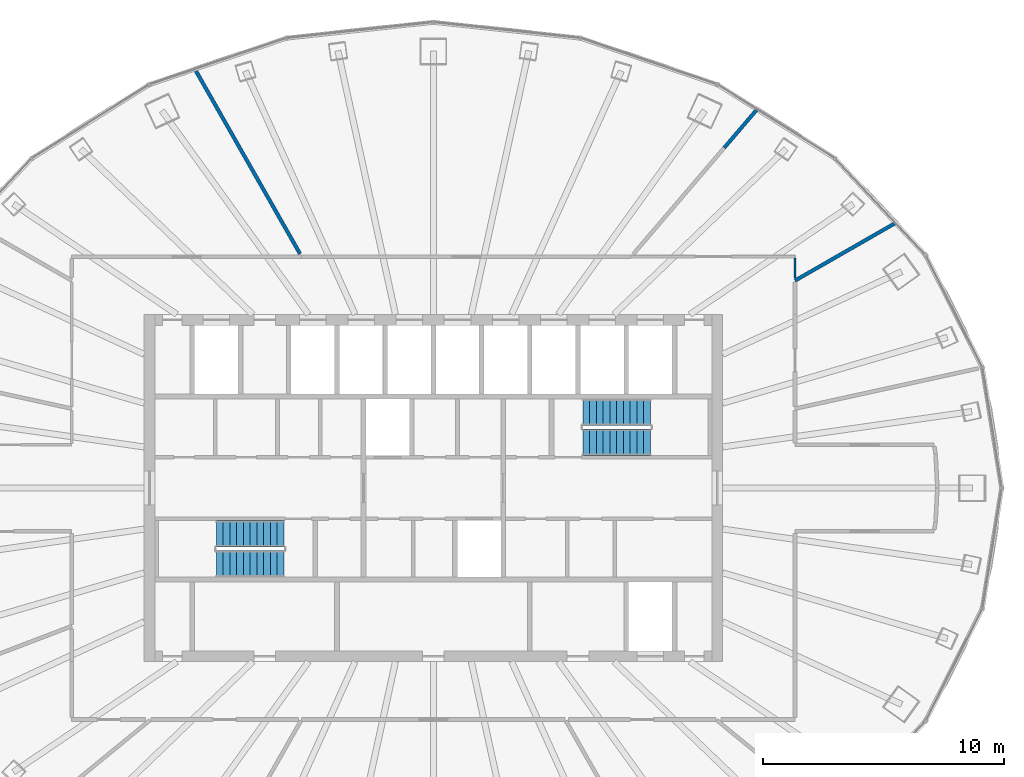
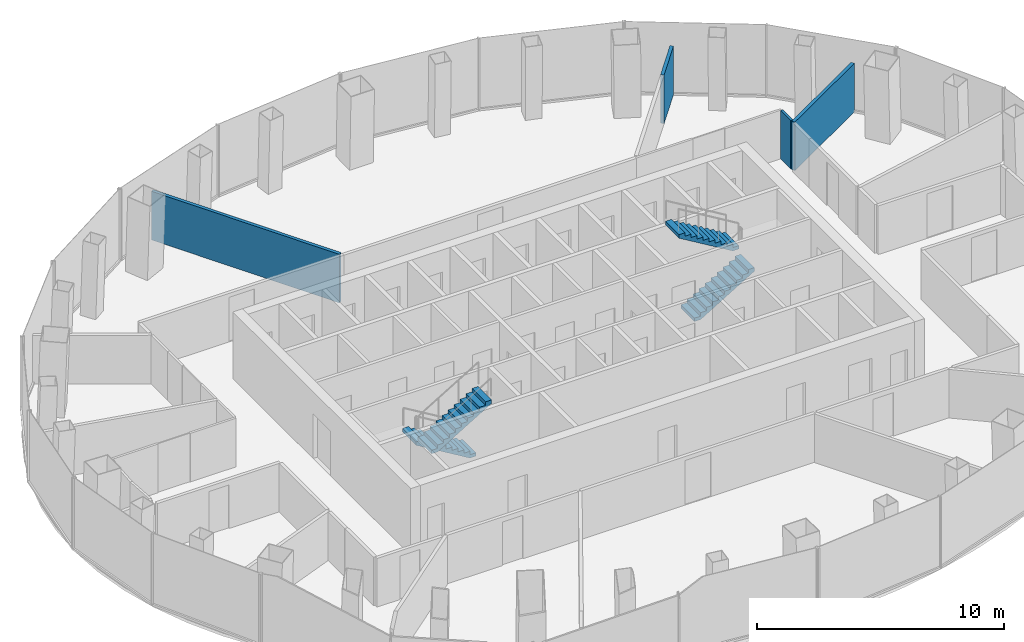
# One storey, part 12 of 13: 4 stair flights, 4 walls, 2 elements without a shape of their own.
"""IFC4 building model written with IfcOpenShell, lengths in metres."""

from ifc_helpers import new_model, si_unit, direction, frame, frame_2d, origin, place, context, subcontext, project, spatial, polyline, rectangle, outline, extrude, material, layer, layer_set, type_object, element, aggregate, save


model = new_model("IFC4")

# Units and contexts
model_context = context("Model", 3, precision=1e-05, world=origin(), true_north=direction((0.0, 1.0)))
body_context = subcontext(model_context, "Body", "Model", "MODEL_VIEW")
ifc_project = project(units=[si_unit("LENGTHUNIT", "METRE"), si_unit("AREAUNIT", "SQUARE_METRE"), si_unit("VOLUMEUNIT", "CUBIC_METRE"), si_unit("PLANEANGLEUNIT", "RADIAN"), si_unit("MASSUNIT", "GRAM", prefix="KILO")], contexts=[model_context])

# Site, building, storey
site_placement = place(None, origin())
site = spatial("IfcSite", under=ifc_project, at=site_placement, CompositionType="ELEMENT")
building_placement = place(site_placement, origin())
building = spatial("IfcBuilding", under=site, at=building_placement, Name="Siaravel Broadcast Tower", CompositionType="ELEMENT")
storey_placement = place(building_placement, frame((0.0, 0.0, 175.60009765625)))
storey = spatial("IfcBuildingStorey", under=building, at=storey_placement, Name="L42", CompositionType="ELEMENT", Elevation=175.60009765625)

# Walls
ifc_material_1 = material(Name="Glazed aluminium partition", Category="aluminium")
ifc_layer_1 = layer(ifc_material_1, 0.10009765625)
ifc_layer_set_1 = layer_set([ifc_layer_1], Name="Glazed aluminium partition")
wall_type_1 = type_object("IfcWallType", Name="Glazed meeting room partition 100", PredefinedType="PARTITIONING", material=ifc_layer_set_1)
wall_1_placement = place(storey_placement, frame((15.0, 8.72021484375, 0.0), z_axis=(0.0, 0.0, 1.0), x_axis=(0.0, 1.0, 0.0)))
element("IfcWall", 1, at=wall_1_placement, inside=storey, type_object=wall_type_1, Name="L42 partition 42", PredefinedType="PARTITIONING", context=body_context, shape_type="SweptSolid", body=[
    extrude(rectangle(XDim=0.827880859375, YDim=0.10009765625, at=frame_2d((0.4140625, 0.0))), origin(), (0.0, 0.0, 1.0), 2.39990234375),
])
ifc_material_2 = material(Name="Gypsum board partition", Category="gypsum")
ifc_layer_2 = layer(ifc_material_2, 0.14990234375)
ifc_layer_set_2 = layer_set([ifc_layer_2], Name="Gypsum board partition")
wall_type_2 = type_object("IfcWallType", Name="Room partition 150", PredefinedType="PARTITIONING", material=ifc_layer_set_2)
wall_2_placement = place(storey_placement, frame((-9.88330078125, 17.360595703125, 0.0), z_axis=(0.0, 0.0, 1.0), x_axis=(0.494742876, -0.869039404, 0.0)))
element("IfcWall", 2, at=wall_2_placement, inside=storey, type_object=wall_type_2, Name="L42 partition 5", PredefinedType="PARTITIONING", context=body_context, shape_type="SweptSolid", body=[
    extrude(rectangle(XDim=8.799072265625, YDim=0.14990234375, at=frame_2d((4.3994140625, 0.0))), origin(), (0.0, 0.0, 1.0), 2.39990234375),
])
wall_3_placement = place(storey_placement, frame((19.166748046875, 10.992919921875, 0.0), z_axis=(0.0, 0.0, 1.0), x_axis=(-0.867466381, -0.497495807, 0.0)))
element("IfcWall", 3, at=wall_3_placement, inside=storey, type_object=wall_type_2, Name="L42 partition 22", PredefinedType="PARTITIONING", context=body_context, shape_type="SweptSolid", body=[
    extrude(rectangle(XDim=4.803466796875, YDim=0.14990234375, at=frame_2d((2.40185546875, 0.0))), origin(), (0.0, 0.0, 1.0), 2.39990234375),
])
wall_4_placement = place(storey_placement, frame((13.41552734375, 15.693603515625, 0.0), z_axis=(0.0, 0.0, 1.0), x_axis=(-0.649755978, -0.760142861, 0.0)))
element("IfcWall", 4, at=wall_4_placement, inside=storey, type_object=wall_type_2, Name="L42 partition 31", PredefinedType="PARTITIONING", context=body_context, shape_type="SweptSolid", body=[
    extrude(rectangle(XDim=2.0791015625, YDim=0.14990234375, at=frame_2d((1.03955078125, 0.0))), origin(), (0.0, 0.0, 1.0), 2.39990234375),
])

# Stair, stair flights
ifc_material_3 = material(Name="Concrete C40/50", Category="concrete")
stair_type = type_object("IfcStairType", Name="Core exit stair", PredefinedType="HALF_TURN_STAIR", material=ifc_material_3)
stair_1_placement = place(storey_placement, origin())
stair_1 = element("IfcStair", 5, at=stair_1_placement, inside=storey, type_object=stair_type, Name="L42 Exit stair ST-1", PredefinedType="HALF_TURN_STAIR")
stair_flight_type = type_object("IfcStairFlightType", Name="Stair flight 1100", PredefinedType="STRAIGHT", material=ifc_material_3)
stair_flight_1_placement = place(storey_placement, frame((-6.199951171875, -1.89990234375, 0.0), z_axis=(0.0, 0.0, 1.0), x_axis=(-1.0, 0.0, 0.0)))
stair_flight_1 = element("IfcStairFlight", 6, at=stair_flight_1_placement, type_object=stair_flight_type, Name="ST-1 flight 1", NumberOfRisers=11, NumberOfTreads=10, PredefinedType="STRAIGHT", RiserHeight=0.1681818, TreadLength=0.28, context=body_context, shape_type="SweptSolid", body=[
    extrude(outline(polyline([(0.0, 0.0), (0.0, 0.168212890625), (0.280029296875, 0.168212890625), (0.280029296875, 0.33642578125), (0.56005859375, 0.33642578125), (0.56005859375, 0.504638671875), (0.840087890625, 0.504638671875), (0.840087890625, 0.672607421875), (1.1201171875, 0.672607421875), (1.1201171875, 0.8408203125), (1.39990234375, 0.8408203125), (1.39990234375, 1.009033203125), (1.679931640625, 1.009033203125), (1.679931640625, 1.17724609375), (1.9599609375, 1.17724609375), (1.9599609375, 1.345458984375), (2.239990234375, 1.345458984375), (2.239990234375, 1.513671875), (2.52001953125, 1.513671875), (2.52001953125, 1.681884765625), (2.800048828125, 1.681884765625), (2.800048828125, 1.85009765625), (2.800048828125, 1.5068359375), (0.291015625, 0.0), (0.0, 0.0)])), frame((0.0, 0.550048828125, 0.0), z_axis=(0.0, -1.0, 0.0), x_axis=(1.0, 0.0, 0.0)), (0.0, 0.0, 1.0), 1.10009765625),
])
stair_flight_2_placement = place(storey_placement, frame((-9.0, -3.14990234375, 1.849853515625), z_axis=(0.0, 0.0, 1.0), x_axis=(1.0, 0.0, 0.0)))
stair_flight_2 = element("IfcStairFlight", 7, at=stair_flight_2_placement, type_object=stair_flight_type, Name="ST-1 flight 2", NumberOfRisers=11, NumberOfTreads=10, PredefinedType="STRAIGHT", RiserHeight=0.1681818, TreadLength=0.28, context=body_context, shape_type="SweptSolid", body=[
    extrude(outline(polyline([(0.0, 0.0), (0.0, 0.168212890625), (0.280029296875, 0.168212890625), (0.280029296875, 0.33642578125), (0.56005859375, 0.33642578125), (0.56005859375, 0.504638671875), (0.840087890625, 0.504638671875), (0.840087890625, 0.672607421875), (1.1201171875, 0.672607421875), (1.1201171875, 0.8408203125), (1.39990234375, 0.8408203125), (1.39990234375, 1.009033203125), (1.679931640625, 1.009033203125), (1.679931640625, 1.17724609375), (1.9599609375, 1.17724609375), (1.9599609375, 1.345458984375), (2.239990234375, 1.345458984375), (2.239990234375, 1.513671875), (2.52001953125, 1.513671875), (2.52001953125, 1.681884765625), (2.800048828125, 1.681884765625), (2.800048828125, 1.85009765625), (2.800048828125, 1.5068359375), (0.291015625, 0.0), (0.0, 0.0)])), frame((0.0, 0.550048828125, 0.0), z_axis=(0.0, -1.0, 0.0), x_axis=(1.0, 0.0, 0.0)), (0.0, 0.0, 1.0), 1.10009765625),
])
aggregate(stair_1, [stair_flight_1, stair_flight_2])

stair_2_placement = place(storey_placement, origin())
stair_2 = element("IfcStair", 8, at=stair_2_placement, inside=storey, type_object=stair_type, Name="L42 Exit stair ST-2", PredefinedType="HALF_TURN_STAIR")
stair_flight_3_placement = place(storey_placement, frame((6.199951171875, 1.89990234375, 0.0), z_axis=(0.0, 0.0, 1.0), x_axis=(1.0, 0.0, 0.0)))
stair_flight_3 = element("IfcStairFlight", 9, at=stair_flight_3_placement, type_object=stair_flight_type, Name="ST-2 flight 1", NumberOfRisers=11, NumberOfTreads=10, PredefinedType="STRAIGHT", RiserHeight=0.1681818, TreadLength=0.28, context=body_context, shape_type="SweptSolid", body=[
    extrude(outline(polyline([(0.0, 0.0), (0.0, 0.168212890625), (0.280029296875, 0.168212890625), (0.280029296875, 0.33642578125), (0.56005859375, 0.33642578125), (0.56005859375, 0.504638671875), (0.840087890625, 0.504638671875), (0.840087890625, 0.672607421875), (1.1201171875, 0.672607421875), (1.1201171875, 0.8408203125), (1.39990234375, 0.8408203125), (1.39990234375, 1.009033203125), (1.679931640625, 1.009033203125), (1.679931640625, 1.17724609375), (1.9599609375, 1.17724609375), (1.9599609375, 1.345458984375), (2.239990234375, 1.345458984375), (2.239990234375, 1.513671875), (2.52001953125, 1.513671875), (2.52001953125, 1.681884765625), (2.800048828125, 1.681884765625), (2.800048828125, 1.85009765625), (2.800048828125, 1.5068359375), (0.291015625, 0.0), (0.0, 0.0)])), frame((0.0, 0.550048828125, 0.0), z_axis=(0.0, -1.0, 0.0), x_axis=(1.0, 0.0, 0.0)), (0.0, 0.0, 1.0), 1.10009765625),
])
stair_flight_4_placement = place(storey_placement, frame((9.0, 3.14990234375, 1.849853515625), z_axis=(0.0, 0.0, 1.0), x_axis=(-1.0, 0.0, 0.0)))
stair_flight_4 = element("IfcStairFlight", 10, at=stair_flight_4_placement, type_object=stair_flight_type, Name="ST-2 flight 2", NumberOfRisers=11, NumberOfTreads=10, PredefinedType="STRAIGHT", RiserHeight=0.1681818, TreadLength=0.28, context=body_context, shape_type="SweptSolid", body=[
    extrude(outline(polyline([(0.0, 0.0), (0.0, 0.168212890625), (0.280029296875, 0.168212890625), (0.280029296875, 0.33642578125), (0.56005859375, 0.33642578125), (0.56005859375, 0.504638671875), (0.840087890625, 0.504638671875), (0.840087890625, 0.672607421875), (1.1201171875, 0.672607421875), (1.1201171875, 0.8408203125), (1.39990234375, 0.8408203125), (1.39990234375, 1.009033203125), (1.679931640625, 1.009033203125), (1.679931640625, 1.17724609375), (1.9599609375, 1.17724609375), (1.9599609375, 1.345458984375), (2.239990234375, 1.345458984375), (2.239990234375, 1.513671875), (2.52001953125, 1.513671875), (2.52001953125, 1.681884765625), (2.800048828125, 1.681884765625), (2.800048828125, 1.85009765625), (2.800048828125, 1.5068359375), (0.291015625, 0.0), (0.0, 0.0)])), frame((0.0, 0.550048828125, 0.0), z_axis=(0.0, -1.0, 0.0), x_axis=(1.0, 0.0, 0.0)), (0.0, 0.0, 1.0), 1.10009765625),
])
aggregate(stair_2, [stair_flight_3, stair_flight_4])

save(model, "model.ifc")
